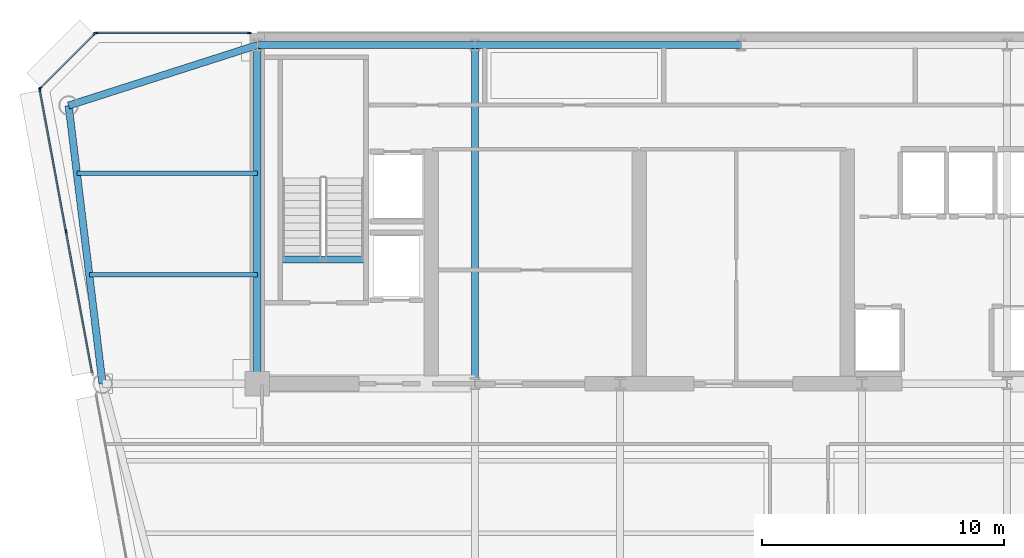
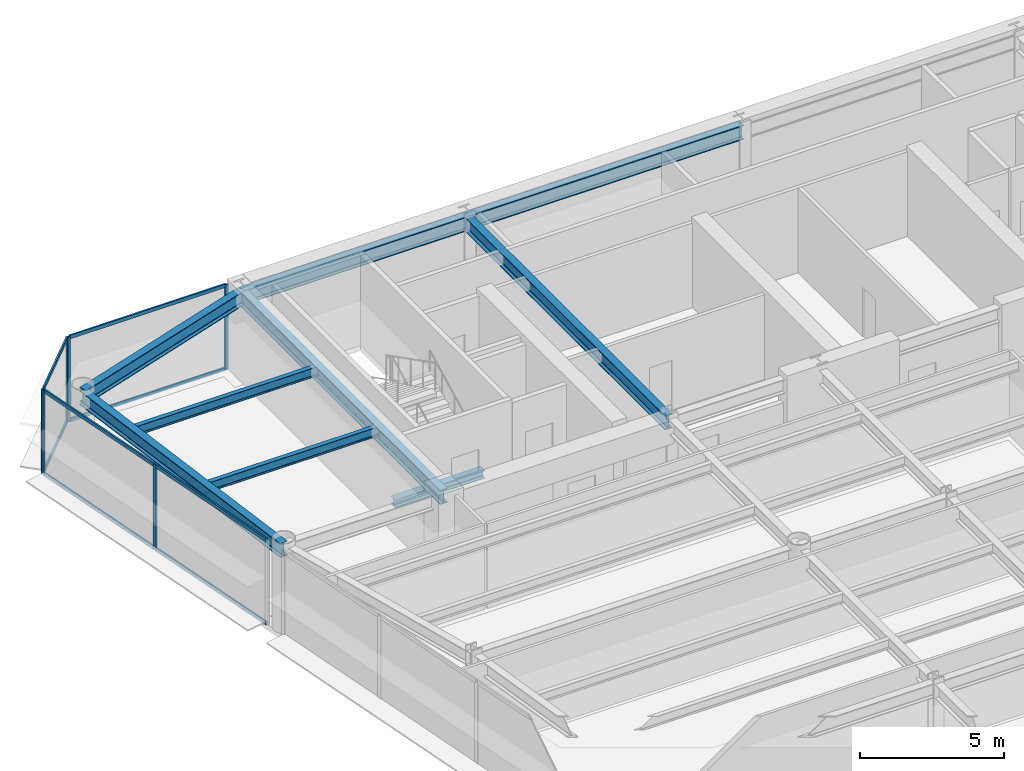
# One storey, part 7 of 16: 14 members, 9 beams, 3 elements without a shape of their own.
"""IFC4 building model written with IfcOpenShell, lengths in metres."""

from ifc_helpers import new_model, si_unit, direction, frame, origin, origin_2d, place, context, subcontext, project, spatial, rectangle, i_section, extrude, source, transform, mapped, material, layer, layer_set, material_profile, profile_set, type_object, element, aggregate, save


model = new_model("IFC4")

# Units and contexts
model_context = context("Model", 3, precision=1e-05, world=origin(), true_north=direction((0.0, 1.0)))
body_context = subcontext(model_context, "Body", "Model", "MODEL_VIEW")
ifc_project = project(units=[si_unit("LENGTHUNIT", "METRE"), si_unit("AREAUNIT", "SQUARE_METRE"), si_unit("VOLUMEUNIT", "CUBIC_METRE"), si_unit("PLANEANGLEUNIT", "RADIAN"), si_unit("MASSUNIT", "GRAM", prefix="KILO")], contexts=[model_context])

# Site, building, storey
site_placement = place(None, origin())
site = spatial("IfcSite", under=ifc_project, at=site_placement, CompositionType="ELEMENT")
building_placement = place(site_placement, origin())
building = spatial("IfcBuilding", under=site, at=building_placement, Name="Vaeldorn Concourse Tower", CompositionType="ELEMENT")
storey_placement = place(building_placement, frame((0.0, 0.0, 207.0)))
storey = spatial("IfcBuildingStorey", under=building, at=storey_placement, Name="L53", CompositionType="ELEMENT", Elevation=207.0)

# Beams
ifc_material_1 = material(Name="Steel S355", Category="steel")
ifc_material_profile_1 = material_profile(ifc_material_1, i_section(OverallWidth=0.300048828125, OverallDepth=0.340087890625, WebThickness=0.011962890625, FlangeThickness=0.021484375, FilletRadius=0.027099609375, at=origin_2d()), Name="HEB 340")
ifc_profile_set_1 = profile_set([ifc_material_profile_1], Name="Steel S355")
beam_type_1 = type_object("IfcBeamType", Name="BM-ST-TRIM", PredefinedType="BEAM", material=ifc_profile_set_1)
shared_shape_1 = source(origin(), body_context, "Body", "SweptSolid", [
    extrude(i_section(OverallWidth=0.300048828125, OverallDepth=0.340087890625, WebThickness=0.011962890625, FlangeThickness=0.021484375, FilletRadius=0.027099609375, at=origin_2d()), origin(), (0.0, 0.0, 1.0), 3.590087890625),
])
beam_1_placement = place(storey_placement, frame((14.929931640625, 41.639892578125, -0.389892578125), z_axis=(1.0, 0.0, 0.0), x_axis=(0.0, 1.0, 0.0)))
element("IfcBeam", 1, at=beam_1_placement, inside=storey, type_object=beam_type_1, Name="Stair Landing Trimmer Beam ST-1 L53", PredefinedType="BEAM", context=body_context, shape_type="MappedRepresentation", body=[
    mapped(shared_shape_1, transform((0.0, 0.0, 0.0), scale=1.0)),
])
ifc_material_profile_2 = material_profile(ifc_material_1, i_section(OverallWidth=0.300048828125, OverallDepth=0.60009765625, WebThickness=0.015380859375, FlangeThickness=0.030029296875, FilletRadius=0.027099609375, at=origin_2d()), Name="HEB 600")
ifc_profile_set_2 = profile_set([ifc_material_profile_2], Name="Steel S355")
beam_type_2 = type_object("IfcBeamType", Name="BM-PG-HEB600", PredefinedType="BEAM", material=ifc_profile_set_2)
shared_shape_2 = source(origin(), body_context, "Body", "SweptSolid", [
    extrude(i_section(OverallWidth=0.300048828125, OverallDepth=0.60009765625, WebThickness=0.015380859375, FlangeThickness=0.030029296875, FilletRadius=0.027099609375, at=origin_2d()), origin(), (0.0, 0.0, 1.0), 9.0),
])
beam_2_placement = place(storey_placement, frame((14.0, 50.5, 3.280029296875), z_axis=(1.0, 0.0, 0.0), x_axis=(0.0, 1.0, 0.0)))
element("IfcBeam", 2, at=beam_2_placement, inside=storey, type_object=beam_type_2, Name="Beam BM-L53-C-HC1-C-HC2", PredefinedType="BEAM", context=body_context, shape_type="MappedRepresentation", body=[
    mapped(shared_shape_2, transform((0.0, 0.0, 0.0), scale=1.0)),
])
shared_shape_3 = source(origin(), body_context, "Body", "SweptSolid", [
    extrude(i_section(OverallWidth=0.300048828125, OverallDepth=0.60009765625, WebThickness=0.015380859375, FlangeThickness=0.030029296875, FilletRadius=0.027099609375, at=origin_2d()), origin(), (0.0, 0.0, 1.0), 11.0),
])
beam_3_placement = place(storey_placement, frame((23.0, 50.5, 3.280029296875), z_axis=(1.0, 0.0, 0.0), x_axis=(0.0, 1.0, 0.0)))
element("IfcBeam", 3, at=beam_3_placement, inside=storey, type_object=beam_type_2, Name="Beam BM-L53-C-HC2-C-HC3", PredefinedType="BEAM", context=body_context, shape_type="MappedRepresentation", body=[
    mapped(shared_shape_3, transform((0.0, 0.0, 0.0), scale=1.0)),
])
shared_shape_4 = source(origin(), body_context, "Body", "SweptSolid", [
    extrude(i_section(OverallWidth=0.300048828125, OverallDepth=0.60009765625, WebThickness=0.015380859375, FlangeThickness=0.030029296875, FilletRadius=0.027099609375, at=origin_2d()), origin(), (0.0, 0.0, 1.0), 14.0),
])
for number, where, z_axis, x_axis, name in (
    (4, (14.0, 36.5, 3.280029296875), (0.0, 1.0, 0.0), (-1.0, 0.0, 0.0), "Beam BM-L53-C-FC1-C-HC1"),
    (5, (23.0, 36.5, 3.280029296875), (0.0, 1.0, 0.0), (-1.0, 0.0, 0.0), "Beam BM-L53-C-FC2-C-HC2"),
):
    element("IfcBeam", number, at=place(storey_placement, frame(where, z_axis=z_axis, x_axis=x_axis)), inside=storey, type_object=beam_type_2, Name=name, PredefinedType="BEAM", context=body_context, shape_type="MappedRepresentation", body=[
        mapped(shared_shape_4, transform((0.0, 0.0, 0.0), scale=1.0)),
    ])
shared_shape_5 = source(origin(), body_context, "Body", "SweptSolid", [
    extrude(i_section(OverallWidth=0.300048828125, OverallDepth=0.60009765625, WebThickness=0.015380859375, FlangeThickness=0.030029296875, FilletRadius=0.027099609375, at=origin_2d()), origin(), (0.0, 0.0, 1.0), 8.19091796875),
])
beam_4_placement = place(storey_placement, frame((6.199951171875, 48.0, 3.280029296875), z_axis=(0.952282843383, 0.305216949396, 0.0), x_axis=(-0.305216949396, 0.952282843383, 0.0)))
element("IfcBeam", 6, at=beam_4_placement, inside=storey, type_object=beam_type_2, Name="Beam BM-L53-C-NW1-C-HC1", PredefinedType="BEAM", context=body_context, shape_type="MappedRepresentation", body=[
    mapped(shared_shape_5, transform((0.0, 0.0, 0.0), scale=1.0)),
])
shared_shape_6 = source(origin(), body_context, "Body", "SweptSolid", [
    extrude(i_section(OverallWidth=0.300048828125, OverallDepth=0.60009765625, WebThickness=0.015380859375, FlangeThickness=0.030029296875, FilletRadius=0.027099609375, at=origin_2d()), origin(), (0.0, 0.0, 1.0), 11.5849609375),
])
beam_5_placement = place(storey_placement, frame((6.199951171875, 48.0, 3.280029296875), z_axis=(0.120859382899, -0.992669637677, 0.0), x_axis=(0.992669637677, 0.120859382899, 0.0)))
element("IfcBeam", 7, at=beam_5_placement, inside=storey, type_object=beam_type_2, Name="Beam BM-L53-C-NW1-C-NW2", PredefinedType="BEAM", context=body_context, shape_type="MappedRepresentation", body=[
    mapped(shared_shape_6, transform((0.0, 0.0, 0.0), scale=1.0)),
])
ifc_material_profile_3 = material_profile(ifc_material_1, i_section(OverallWidth=0.179931640625, OverallDepth=0.39990234375, WebThickness=0.008544921875, FlangeThickness=0.013427734375, FilletRadius=0.02099609375, at=origin_2d()), Name="IPE 400")
ifc_profile_set_3 = profile_set([ifc_material_profile_3], Name="Steel S355")
beam_type_3 = type_object("IfcBeamType", Name="BM-JS-IPE400", PredefinedType="JOIST", material=ifc_profile_set_3)
shared_shape_7 = source(origin(), body_context, "Body", "SweptSolid", [
    extrude(i_section(OverallWidth=0.179931640625, OverallDepth=0.39990234375, WebThickness=0.008544921875, FlangeThickness=0.013427734375, FilletRadius=0.02099609375, at=origin_2d()), origin(), (0.0, 0.0, 1.0), 6.94775390625),
])
beam_6_placement = place(storey_placement, frame((7.05224609375, 41.0, 3.3798828125), z_axis=(1.0, 0.0, 0.0), x_axis=(0.0, 1.0, 0.0)))
element("IfcBeam", 8, at=beam_6_placement, inside=storey, type_object=beam_type_3, Name="Beam JS-L53-NW-410", PredefinedType="JOIST", context=body_context, shape_type="MappedRepresentation", body=[
    mapped(shared_shape_7, transform((0.0, 0.0, 0.0), scale=1.0)),
])
shared_shape_8 = source(origin(), body_context, "Body", "SweptSolid", [
    extrude(i_section(OverallWidth=0.179931640625, OverallDepth=0.39990234375, WebThickness=0.008544921875, FlangeThickness=0.013427734375, FilletRadius=0.02099609375, at=origin_2d()), origin(), (0.0, 0.0, 1.0), 7.458984375),
])
beam_7_placement = place(storey_placement, frame((6.541015625, 45.199951171875, 3.3798828125), z_axis=(1.0, 0.0, 0.0), x_axis=(0.0, 1.0, 0.0)))
element("IfcBeam", 9, at=beam_7_placement, inside=storey, type_object=beam_type_3, Name="Beam JS-L53-NW-452", PredefinedType="JOIST", context=body_context, shape_type="MappedRepresentation", body=[
    mapped(shared_shape_8, transform((0.0, 0.0, 0.0), scale=1.0)),
])

# Curtain wall, members
ifc_material_2 = material(Name="Anodised Bronze Aluminium", Category="aluminium")
ifc_layer_1 = layer(ifc_material_2, 0.18994140625)
ifc_layer_set_1 = layer_set([ifc_layer_1], Name="Anodised Bronze Aluminium")
curtain_wall_type_1 = type_object("IfcCurtainWallType", Name="CW-SYS-03", PredefinedType="NOTDEFINED", material=ifc_layer_set_1)
curtain_wall_1_placement = place(storey_placement, origin())
curtain_wall_1 = element("IfcCurtainWall", 10, at=curtain_wall_1_placement, inside=storey, type_object=curtain_wall_type_1, Name="Unitised Curtain Wall CW-L53-E10-1", PredefinedType="NOTDEFINED")
ifc_material_profile_4 = material_profile(ifc_material_2, rectangle(XDim=0.06494140625, YDim=0.14990234375, at=origin_2d()), Name="CWT 65x150")
ifc_profile_set_4 = profile_set([ifc_material_profile_4], Name="Anodised Bronze Aluminium")
member_type_1 = type_object("IfcMemberType", Name="CWT-BRONZE-150", PredefinedType="USERDEFINED", material=ifc_profile_set_4)
shared_shape_9 = source(origin(), body_context, "Body", "SweptSolid", [
    extrude(rectangle(XDim=0.06494140625, YDim=0.14990234375, at=origin_2d()), origin(), (0.0, 0.0, 1.0), 3.123046875),
])
member_1_placement = place(storey_placement, frame((7.254150390625, 50.9541015625, 0.032470703125), z_axis=(-0.707106781187, -0.707106781187, 0.0), x_axis=(0.707106781187, -0.707106781187, 0.0)))
member_1 = element("IfcMember", 11, at=member_1_placement, type_object=member_type_1, Name="CW-03 transom 1.1", ObjectType="TRANSOM", PredefinedType="USERDEFINED", context=body_context, shape_type="MappedRepresentation", body=[
    mapped(shared_shape_9, transform((0.0, 0.0, 0.0), scale=1.0)),
])
member_2_placement = place(storey_placement, frame((7.254150390625, 50.9541015625, 3.547607421875), z_axis=(-0.707106781187, -0.707106781187, 0.0), x_axis=(0.707106781187, -0.707106781187, 0.0)))
member_2 = element("IfcMember", 12, at=member_2_placement, type_object=member_type_1, Name="CW-03 transom 1.2", ObjectType="TRANSOM", PredefinedType="USERDEFINED", context=body_context, shape_type="MappedRepresentation", body=[
    mapped(shared_shape_9, transform((0.0, 0.0, 0.0), scale=1.0)),
])

curtain_wall_2_placement = place(storey_placement, origin())
curtain_wall_2 = element("IfcCurtainWall", 13, at=curtain_wall_2_placement, inside=storey, type_object=curtain_wall_type_1, Name="Unitised Curtain Wall CW-L53-E09-2", PredefinedType="NOTDEFINED")
ifc_material_profile_5 = material_profile(ifc_material_2, rectangle(XDim=0.06494140625, YDim=0.169921875, at=origin_2d()), Name="CWM 65x170")
ifc_profile_set_5 = profile_set([ifc_material_profile_5], Name="Anodised Bronze Aluminium")
member_type_2 = type_object("IfcMemberType", Name="CWM-BRONZE-170", PredefinedType="MULLION", material=ifc_profile_set_5)
shared_shape_10 = source(origin(), body_context, "Body", "SweptSolid", [
    extrude(rectangle(XDim=0.06494140625, YDim=0.169921875, at=origin_2d()), origin(), (0.0, 0.0, 1.0), 3.580078125),
])
member_3_placement = place(storey_placement, frame((13.672607421875, 51.0, 0.0), z_axis=(0.0, 0.0, 1.0), x_axis=(0.0, -1.0, 0.0)))
member_3 = element("IfcMember", 14, at=member_3_placement, type_object=member_type_2, Name="CW-03 mullion 1", PredefinedType="MULLION", context=body_context, shape_type="MappedRepresentation", body=[
    mapped(shared_shape_10, transform((0.0, 0.0, 0.0), scale=1.0)),
])
member_4_placement = place(storey_placement, frame((7.33251953125, 51.0, 0.0), z_axis=(0.0, 0.0, 1.0), x_axis=(0.0, -1.0, 0.0)))
member_4 = element("IfcMember", 15, at=member_4_placement, type_object=member_type_2, Name="CW-03 mullion 2", PredefinedType="MULLION", context=body_context, shape_type="MappedRepresentation", body=[
    mapped(shared_shape_10, transform((0.0, 0.0, 0.0), scale=1.0)),
])

# Member
member_5_placement = place(storey_placement, frame((7.277099609375, 50.97705078125, 0.0), z_axis=(0.0, 0.0, 1.0), x_axis=(0.707106781187, -0.707106781187, 0.0)))
member_5 = element("IfcMember", 16, at=member_5_placement, type_object=member_type_2, Name="CW-03 mullion 1", PredefinedType="MULLION", context=body_context, shape_type="MappedRepresentation", body=[
    mapped(shared_shape_10, transform((0.0, 0.0, 0.0), scale=1.0)),
])

member_6_placement = place(storey_placement, frame((5.02294921875, 48.722900390625, 0.0), z_axis=(0.0, 0.0, 1.0), x_axis=(0.707106781187, -0.707106781187, 0.0)))
member_6 = element("IfcMember", 17, at=member_6_placement, type_object=member_type_2, Name="CW-03 mullion 2", PredefinedType="MULLION", context=body_context, shape_type="MappedRepresentation", body=[
    mapped(shared_shape_10, transform((0.0, 0.0, 0.0), scale=1.0)),
])

aggregate(curtain_wall_1, [member_5, member_6, member_1, member_2])

# Curtain wall, members
ifc_layer_2 = layer(ifc_material_2, 0.2099609375)
ifc_layer_set_2 = layer_set([ifc_layer_2], Name="Anodised Bronze Aluminium")
curtain_wall_type_2 = type_object("IfcCurtainWallType", Name="CW-SYS-06", PredefinedType="NOTDEFINED", material=ifc_layer_set_2)
curtain_wall_3_placement = place(storey_placement, origin())
curtain_wall_3 = element("IfcCurtainWall", 18, at=curtain_wall_3_placement, inside=storey, type_object=curtain_wall_type_2, Name="Unitised Curtain Wall CW-L53-E11-1", PredefinedType="NOTDEFINED")
member_7_placement = place(storey_placement, frame((5.005859375, 48.66796875, 0.0), z_axis=(0.0, 0.0, 1.0), x_axis=(0.983319270992, 0.181887908602, 0.0)))
member_7 = element("IfcMember", 19, at=member_7_placement, type_object=member_type_2, Name="CW-06 mullion 1", PredefinedType="MULLION", context=body_context, shape_type="MappedRepresentation", body=[
    mapped(shared_shape_10, transform((0.0, 0.0, 0.0), scale=1.0)),
])
member_8_placement = place(storey_placement, frame((6.091796875, 42.7978515625, 0.0), z_axis=(0.0, 0.0, 1.0), x_axis=(0.983319270992, 0.181887908602, 0.0)))
member_8 = element("IfcMember", 20, at=member_8_placement, type_object=member_type_2, Name="CW-06 mullion 2", PredefinedType="MULLION", context=body_context, shape_type="MappedRepresentation", body=[
    mapped(shared_shape_10, transform((0.0, 0.0, 0.0), scale=1.0)),
])

# Member
shared_shape_11 = source(origin(), body_context, "Body", "SweptSolid", [
    extrude(rectangle(XDim=0.06494140625, YDim=0.14990234375, at=origin_2d()), origin(), (0.0, 0.0, 1.0), 6.27490234375),
])
member_9_placement = place(storey_placement, frame((13.639892578125, 51.0, 0.032470703125), z_axis=(-1.0, 0.0, 0.0), x_axis=(0.0, -1.0, 0.0)))
member_9 = element("IfcMember", 21, at=member_9_placement, type_object=member_type_1, Name="CW-03 transom 1.1", ObjectType="TRANSOM", PredefinedType="USERDEFINED", context=body_context, shape_type="MappedRepresentation", body=[
    mapped(shared_shape_11, transform((0.0, 0.0, 0.0), scale=1.0)),
])

member_10_placement = place(storey_placement, frame((13.639892578125, 51.0, 3.547607421875), z_axis=(-1.0, 0.0, 0.0), x_axis=(0.0, -1.0, 0.0)))
member_10 = element("IfcMember", 22, at=member_10_placement, type_object=member_type_1, Name="CW-03 transom 1.2", ObjectType="TRANSOM", PredefinedType="USERDEFINED", context=body_context, shape_type="MappedRepresentation", body=[
    mapped(shared_shape_11, transform((0.0, 0.0, 0.0), scale=1.0)),
])

aggregate(curtain_wall_2, [member_3, member_4, member_9, member_10])

shared_shape_12 = source(origin(), body_context, "Body", "SweptSolid", [
    extrude(rectangle(XDim=0.06494140625, YDim=0.14990234375, at=origin_2d()), origin(), (0.0, 0.0, 1.0), 5.90478515625),
])
member_11_placement = place(storey_placement, frame((5.01171875, 48.635986328125, 0.032470703125), z_axis=(0.181926392545, -0.983312151707, 0.0), x_axis=(0.983312151707, 0.181926392545, 0.0)))
member_11 = element("IfcMember", 23, at=member_11_placement, type_object=member_type_1, Name="CW-06 transom 1.1", ObjectType="TRANSOM", PredefinedType="USERDEFINED", context=body_context, shape_type="MappedRepresentation", body=[
    mapped(shared_shape_12, transform((0.0, 0.0, 0.0), scale=1.0)),
])

member_12_placement = place(storey_placement, frame((5.01171875, 48.635986328125, 3.547607421875), z_axis=(0.181926392545, -0.983312151707, 0.0), x_axis=(0.983312151707, 0.181926392545, 0.0)))
member_12 = element("IfcMember", 24, at=member_12_placement, type_object=member_type_1, Name="CW-06 transom 1.2", ObjectType="TRANSOM", PredefinedType="USERDEFINED", context=body_context, shape_type="MappedRepresentation", body=[
    mapped(shared_shape_12, transform((0.0, 0.0, 0.0), scale=1.0)),
])

member_13_placement = place(storey_placement, frame((6.09765625, 42.765869140625, 0.032470703125), z_axis=(0.181879018898, -0.983320915309, 0.0), x_axis=(0.983320915309, 0.181879018898, 0.0)))
member_13 = element("IfcMember", 25, at=member_13_placement, type_object=member_type_1, Name="CW-06 transom 2.1", ObjectType="TRANSOM", PredefinedType="USERDEFINED", context=body_context, shape_type="MappedRepresentation", body=[
    mapped(shared_shape_12, transform((0.0, 0.0, 0.0), scale=1.0)),
])

member_14_placement = place(storey_placement, frame((6.09765625, 42.765869140625, 3.547607421875), z_axis=(0.181879018898, -0.983320915309, 0.0), x_axis=(0.983320915309, 0.181879018898, 0.0)))
member_14 = element("IfcMember", 26, at=member_14_placement, type_object=member_type_1, Name="CW-06 transom 2.2", ObjectType="TRANSOM", PredefinedType="USERDEFINED", context=body_context, shape_type="MappedRepresentation", body=[
    mapped(shared_shape_12, transform((0.0, 0.0, 0.0), scale=1.0)),
])

aggregate(curtain_wall_3, [member_7, member_8, member_11, member_12, member_13, member_14])

save(model, "model.ifc")
